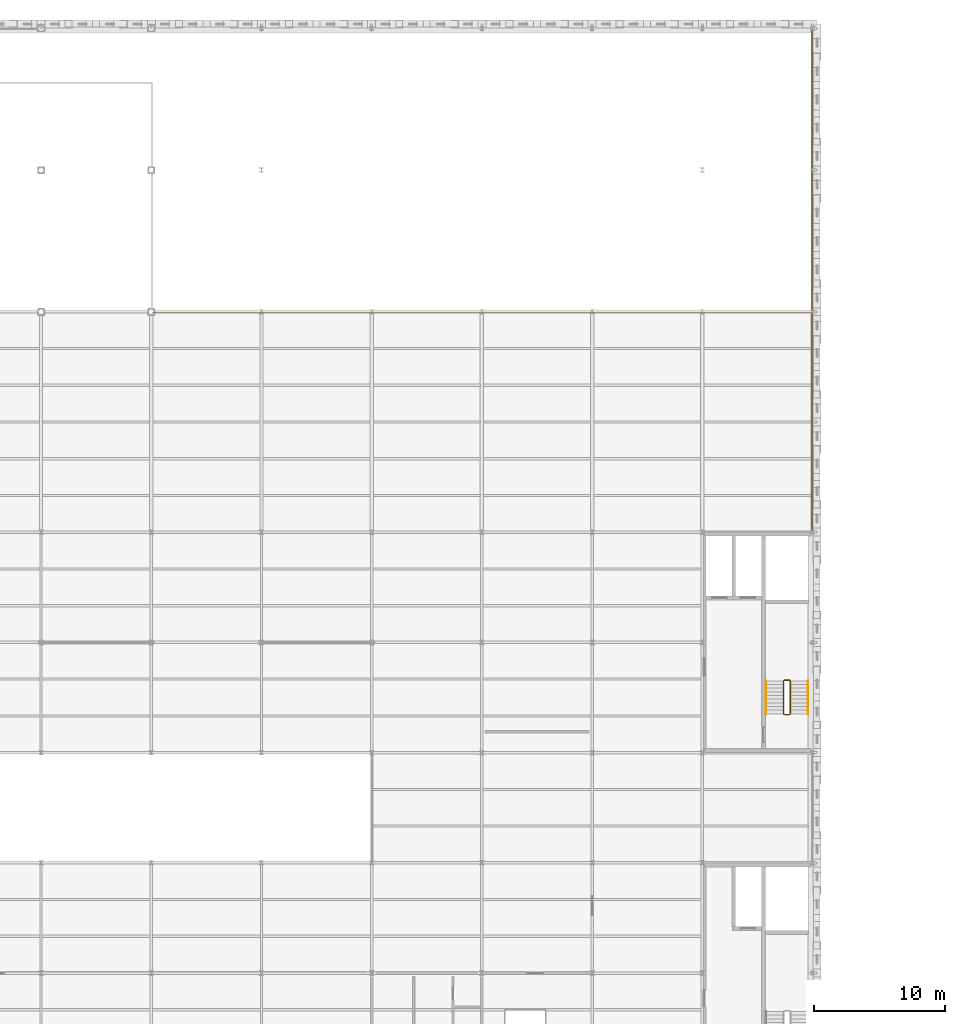
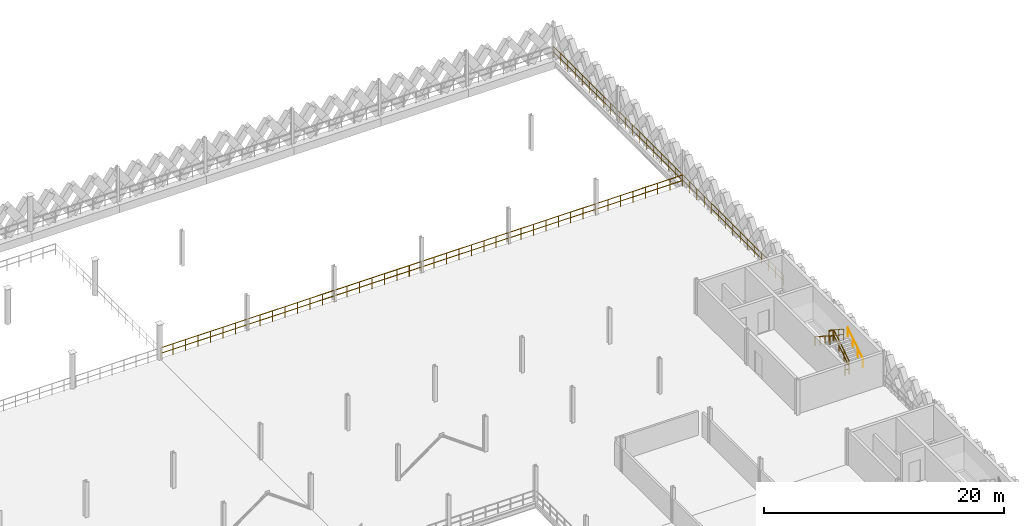
# One storey, part 47 of 47: 8 railings.
"""IFC4 building model written with IfcOpenShell, lengths in metres."""

import ifcopenshell
import ifcopenshell.guid

model = None  # the IFC model being written
_history = None  # IfcOwnerHistory: only IFC2X3 demands one
_inside = {}  # id of a spatial element -> (the spatial element, [elements in it])
_under = {}  # id of a project, library or spatial element -> (it, [spatial elements below it])
_declared = {}  # id of a project -> (the project, [libraries it declares])
_typed = {}  # id of a type object -> (the type object, [elements of that type])
_made_of = {}  # id of a material, layer set ... -> (it, [elements and type objects made of it])


def new_model(schema):
    """Start an empty IFC model of exactly this schema.

    Asked for "IFC4X3", IfcOpenShell would pick the latest addendum, in which some entities
    have other attributes; the version numbers below select the first issue.
    IFC2X3 requires an IfcOwnerHistory on every rooted entity: one is made here for all.
    """
    global model, _history
    if schema == "IFC4X3":
        model = ifcopenshell.file(schema_version=(4, 3, 0, 0))
    else:
        model = ifcopenshell.file(schema=schema)
    _inside.clear()
    _under.clear()
    _declared.clear()
    _typed.clear()
    _made_of.clear()
    _history = None
    if model.schema == "IFC2X3":
        org = make("IfcOrganization", Name="unknown")
        user = make(
            "IfcPersonAndOrganization",
            ThePerson=make("IfcPerson", FamilyName="unknown"),
            TheOrganization=org,
        )
        app = make(
            "IfcApplication",
            ApplicationDeveloper=org,
            Version="unknown",
            ApplicationFullName="unknown",
            ApplicationIdentifier="unknown",
        )
        _history = make(
            "IfcOwnerHistory",
            OwningUser=user,
            OwningApplication=app,
            ChangeAction="ADDED",
            CreationDate=0,
        )
    return model


def make(cls, **values):
    """One entity of the class cls with the attributes given. An attribute that is None is left unset."""
    return model.create_entity(
        cls, **{name: value for name, value in values.items() if value is not None}
    )


def rooted(cls, **values):
    """An entity with a GlobalId (a new one), such as an element, a storey or a relation."""
    return make(cls, GlobalId=ifcopenshell.guid.new(), OwnerHistory=_history, **values)


def si_unit(unit_type, name, prefix=None):
    """IfcSIUnit, for example si_unit("LENGTHUNIT", "METRE", prefix="MILLI")."""
    return make("IfcSIUnit", UnitType=unit_type, Prefix=prefix, Name=name)


def assignment(units):
    """IfcUnitAssignment: the units of a project."""
    return None if units is None else make("IfcUnitAssignment", Units=units)


def point(xyz):
    """IfcCartesianPoint."""
    return None if xyz is None else make("IfcCartesianPoint", Coordinates=xyz)


def direction(xyz):
    """IfcDirection."""
    return None if xyz is None else make("IfcDirection", DirectionRatios=xyz)


def frame(location, z_axis=None, x_axis=None):
    """IfcAxis2Placement3D, a coordinate frame: its origin and axes. An axis left out is left unset."""
    return make(
        "IfcAxis2Placement3D",
        Location=point(location),
        Axis=direction(z_axis),
        RefDirection=direction(x_axis),
    )


def frame_2d(location, x_axis=None):
    """IfcAxis2Placement2D, a coordinate frame in the plane: its origin and x axis."""
    return make(
        "IfcAxis2Placement2D", Location=point(location), RefDirection=direction(x_axis)
    )


def origin():
    """The frame at (0, 0, 0) with its axes left unset."""
    return frame((0.0, 0.0, 0.0))


def origin_2d():
    """The frame at (0, 0) in the plane with its x axis left unset."""
    return frame_2d((0.0, 0.0))


def place(relative_to, where):
    """IfcLocalPlacement: puts the frame where relative to a parent placement (None: the world)."""
    return make(
        "IfcLocalPlacement", PlacementRelTo=relative_to, RelativePlacement=where
    )


def context(
    kind, dimensions, precision=None, world=None, true_north=None, identifier=None
):
    """IfcGeometricRepresentationContext, for example the 3D "Model" context."""
    return make(
        "IfcGeometricRepresentationContext",
        ContextIdentifier=identifier,
        ContextType=kind,
        CoordinateSpaceDimension=dimensions,
        Precision=precision,
        WorldCoordinateSystem=world,
        TrueNorth=true_north,
    )


def subcontext(parent, identifier, kind, view, scale=None):
    """IfcGeometricRepresentationSubContext, for example "Body" below "Model"."""
    return make(
        "IfcGeometricRepresentationSubContext",
        ContextIdentifier=identifier,
        ContextType=kind,
        ParentContext=parent,
        TargetScale=scale,
        TargetView=view,
    )


def project(units=None, contexts=None):
    """IfcProject with its units and contexts."""
    return rooted(
        "IfcProject",
        Name="project",
        RepresentationContexts=contexts,
        UnitsInContext=assignment(units),
    )


def spatial(cls, under=None, at=None, **own):
    """A site, building, storey or space (cls), placed at a placement, below another one or the project."""
    s = rooted(cls, ObjectPlacement=at, **own)
    if under is not None:
        _under.setdefault(under.id(), (under, []))[1].append(s)
    return s


def profile(cls, at=None, kind="AREA", **sizes):
    """A parametric profile (cls). Its sizes go by their IFC names, for example OverallWidth=200.0."""
    return make(cls, ProfileType=kind, Position=at, **sizes)


def circle(**sizes):
    """IfcCircleProfileDef."""
    return profile("IfcCircleProfileDef", **sizes)


def extrude(swept, where, along, depth):
    """IfcExtrudedAreaSolid: the profile swept, set in the frame where, extruded along a direction by depth."""
    return make(
        "IfcExtrudedAreaSolid",
        SweptArea=swept,
        Position=where,
        ExtrudedDirection=direction(along),
        Depth=depth,
    )


def shape(context_of_items, identifier, shape_type, items):
    """IfcShapeRepresentation: the items that make up one representation, for example the "Body"."""
    return make(
        "IfcShapeRepresentation",
        ContextOfItems=context_of_items,
        RepresentationIdentifier=identifier,
        RepresentationType=shape_type,
        Items=items,
    )


def material(Name=None, Category=None):
    """IfcMaterial."""
    return make("IfcMaterial", Name=Name, Category=Category)


def made_of(thing, what):
    """Note that an element or type object is made of a material, layer set ...; save() writes the relation."""
    if what is not None:
        _made_of.setdefault(what.id(), (what, []))[1].append(thing)
    return thing


def type_object(cls, material=None, **own):
    """A type object (cls), such as IfcWallType, which elements share."""
    return made_of(rooted(cls, **own), material)


def element(
    cls,
    number,
    at=None,
    inside=None,
    cuts=None,
    type_object=None,
    material=None,
    context=None,
    identifier="Body",
    shape_type=None,
    held_by="IfcProductDefinitionShape",
    body=None,
    shapes=None,
    **own,
):
    """One element of the class cls, such as IfcWall. Its Tag is "e" and its number.

    at: its placement. inside: the storey or other place that contains it. cuts: it is an
    opening in that element (IfcRelVoidsElement). A single representation is given by context,
    identifier, shape_type and body (its items); several are given by shapes. held_by: the class
    of the entity that holds the representations. save() writes the other relations.
    """
    e = rooted(cls, Tag="e%d" % number, ObjectPlacement=at, **own)
    if body is not None:
        shapes = [shape(context, identifier, shape_type, body)]
    if shapes is not None:
        e.Representation = make(held_by, Representations=shapes)
    if inside is not None:
        _inside.setdefault(inside.id(), (inside, []))[1].append(e)
    if cuts is not None:
        rooted(
            "IfcRelVoidsElement", RelatingBuildingElement=cuts, RelatedOpeningElement=e
        )
    if type_object is not None:
        _typed.setdefault(type_object.id(), (type_object, []))[1].append(e)
    return made_of(e, material)


def aggregate(whole, parts):
    """IfcRelAggregates: a whole, such as a stair, and the parts it consists of."""
    return rooted("IfcRelAggregates", RelatingObject=whole, RelatedObjects=parts)


def save(model, path):
    """Write the relations noted so far, then the file.

    IfcRelAggregates (storeys below a building ...), IfcRelContainedInSpatialStructure (elements
    in a storey), IfcRelDefinesByType, IfcRelAssociatesMaterial and IfcRelDeclares: one each for
    every whole, place, type object, material and project.
    """
    for whole, parts in _under.values():
        aggregate(whole, parts)
    for where, things in _inside.values():
        rooted(
            "IfcRelContainedInSpatialStructure",
            RelatedElements=things,
            RelatingStructure=where,
        )
    for kind, things in _typed.values():
        rooted("IfcRelDefinesByType", RelatedObjects=things, RelatingType=kind)
    for what, things in _made_of.values():
        rooted("IfcRelAssociatesMaterial", RelatedObjects=things, RelatingMaterial=what)
    for by, libraries in _declared.values():
        rooted("IfcRelDeclares", RelatingContext=by, RelatedDefinitions=libraries)
    model.write(path)


model = new_model("IFC4")

# Units and contexts
model_context = context("Model", 3, precision=1e-05, world=origin(), true_north=direction((0.0, 1.0)))
body_context = subcontext(model_context, "Body", "Model", "MODEL_VIEW")
ifc_project = project(units=[si_unit("LENGTHUNIT", "METRE"), si_unit("AREAUNIT", "SQUARE_METRE"), si_unit("VOLUMEUNIT", "CUBIC_METRE"), si_unit("PLANEANGLEUNIT", "RADIAN"), si_unit("MASSUNIT", "GRAM", prefix="KILO"), si_unit("THERMODYNAMICTEMPERATUREUNIT", "KELVIN"), si_unit("POWERUNIT", "WATT")], contexts=[model_context])

# Site, building, storey
site_placement = place(None, origin())
site = spatial("IfcSite", under=ifc_project, at=site_placement, CompositionType="ELEMENT")
building_placement = place(site_placement, origin())
building = spatial("IfcBuilding", under=site, at=building_placement, Name="Tembeka Court Mobility Hub", CompositionType="ELEMENT")
storey_placement = place(building_placement, frame((0.0, 0.0, 19.800048828125)))
storey = spatial("IfcBuildingStorey", under=building, at=storey_placement, Name="L05", CompositionType="ELEMENT", Elevation=19.800048828125)

# Railings
ifc_material_1 = material(Name="Painted galvanised steel balustrade", Category="steel")
railing_type_1 = type_object("IfcRailingType", Name="RL-GR01", PredefinedType="GUARDRAIL", material=ifc_material_1)
railing_1_placement = place(storey_placement, frame((90.699951171875, 66.550048828125, 0.179931640625)))
element("IfcRailing", 1, at=railing_1_placement, inside=storey, type_object=railing_type_1, Name="L05 ST02 stair guard 1-1", PredefinedType="GUARDRAIL", context=body_context, shape_type="SweptSolid", body=[
    extrude(circle(Radius=0.02392578125, at=origin_2d()), frame((0.0, 0.0, 1.09619140625), z_axis=(0.0, 0.841162588446, 0.540782303519), x_axis=(-1.0, 0.0, 0.0)), (0.0, 0.0, 1.0), 2.995849609375),
    extrude(circle(Radius=0.02392578125, at=origin_2d()), frame((0.0, 0.0, 0.5361328125), z_axis=(0.0, 0.841162588446, 0.540782303519), x_axis=(-1.0, 0.0, 0.0)), (0.0, 0.0, 1.0), 2.995849609375),
    extrude(circle(Radius=0.02099609375, at=origin_2d()), origin(), (0.0, 0.0, 1.0), 1.072021484375),
    extrude(circle(Radius=0.02099609375, at=origin_2d()), frame((0.0, 0.840087890625, 0.5400390625)), (0.0, 0.0, 1.0), 1.072021484375),
    extrude(circle(Radius=0.02099609375, at=origin_2d()), frame((0.0, 1.679931640625, 1.080078125)), (0.0, 0.0, 1.0), 1.072021484375),
    extrude(circle(Radius=0.02099609375, at=origin_2d()), frame((0.0, 2.52001953125, 1.6201171875)), (0.0, 0.0, 1.0), 1.072021484375),
])
railing_2_placement = place(storey_placement, frame((90.64990234375, 69.1201171875, 1.800048828125)))
element("IfcRailing", 2, at=railing_2_placement, inside=storey, type_object=railing_type_1, Name="L05 ST02 stair guard 2-1", PredefinedType="GUARDRAIL", context=body_context, shape_type="SweptSolid", body=[
    extrude(circle(Radius=0.02392578125, at=origin_2d()), frame((0.0, 0.0, 1.09619140625), z_axis=(-1.0, 0.0, 0.0), x_axis=(0.0, -1.0, 0.0)), (0.0, 0.0, 1.0), 0.39990234375),
    extrude(circle(Radius=0.02392578125, at=origin_2d()), frame((0.0, 0.0, 0.5361328125), z_axis=(-1.0, 0.0, 0.0), x_axis=(0.0, -1.0, 0.0)), (0.0, 0.0, 1.0), 0.39990234375),
    extrude(circle(Radius=0.02099609375, at=origin_2d()), origin(), (0.0, 0.0, 1.0), 1.072021484375),
    extrude(circle(Radius=0.02099609375, at=origin_2d()), frame((-0.39990234375, 0.0, 0.0)), (0.0, 0.0, 1.0), 1.072021484375),
])
railing_3_placement = place(storey_placement, frame((90.199951171875, 69.070068359375, 1.97998046875)))
element("IfcRailing", 3, at=railing_3_placement, inside=storey, type_object=railing_type_1, Name="L05 ST02 stair guard 3-1", PredefinedType="GUARDRAIL", context=body_context, shape_type="SweptSolid", body=[
    extrude(circle(Radius=0.02392578125, at=origin_2d()), frame((0.0, 0.0, 1.09619140625), z_axis=(0.0, -0.841199657755, 0.540724639528), x_axis=(1.0, 0.0, 0.0)), (0.0, 0.0, 1.0), 2.995849609375),
    extrude(circle(Radius=0.02392578125, at=origin_2d()), frame((0.0, 0.0, 0.5361328125), z_axis=(0.0, -0.841199657755, 0.540724639528), x_axis=(1.0, 0.0, 0.0)), (0.0, 0.0, 1.0), 2.995849609375),
    extrude(circle(Radius=0.02099609375, at=origin_2d()), origin(), (0.0, 0.0, 1.0), 1.072021484375),
    extrude(circle(Radius=0.02099609375, at=origin_2d()), frame((0.0, -0.840087890625, 0.5400390625)), (0.0, 0.0, 1.0), 1.072021484375),
    extrude(circle(Radius=0.02099609375, at=origin_2d()), frame((0.0, -1.679931640625, 1.079833984375)), (0.0, 0.0, 1.0), 1.072021484375),
    extrude(circle(Radius=0.02099609375, at=origin_2d()), frame((0.0, -2.52001953125, 1.619873046875)), (0.0, 0.0, 1.0), 1.072021484375),
])
railing_4_placement = place(storey_placement, frame((90.64990234375, 66.5, 0.0)))
element("IfcRailing", 4, at=railing_4_placement, inside=storey, type_object=railing_type_1, Name="L05 ST02 stair guard 4-1", PredefinedType="GUARDRAIL", context=body_context, shape_type="SweptSolid", body=[
    extrude(circle(Radius=0.02392578125, at=origin_2d()), frame((0.0, 0.0, 1.09619140625), z_axis=(-1.0, 0.0, 0.0), x_axis=(0.0, -1.0, 0.0)), (0.0, 0.0, 1.0), 0.39990234375),
    extrude(circle(Radius=0.02392578125, at=origin_2d()), frame((0.0, 0.0, 0.5361328125), z_axis=(-1.0, 0.0, 0.0), x_axis=(0.0, -1.0, 0.0)), (0.0, 0.0, 1.0), 0.39990234375),
    extrude(circle(Radius=0.02099609375, at=origin_2d()), origin(), (0.0, 0.0, 1.0), 1.072021484375),
    extrude(circle(Radius=0.02099609375, at=origin_2d()), frame((-0.39990234375, 0.0, 0.0)), (0.0, 0.0, 1.0), 1.072021484375),
])
railing_type_2 = type_object("IfcRailingType", Name="RL-GR02", PredefinedType="GUARDRAIL", material=ifc_material_1)
railing_5_placement = place(storey_placement, frame((42.080078125, 97.14990234375, 0.0)))
element("IfcRailing", 5, at=railing_5_placement, inside=storey, type_object=railing_type_2, Name="Perimeter guard GR02-0039", PredefinedType="GUARDRAIL", context=body_context, shape_type="SweptSolid", body=[
    extrude(circle(Radius=0.02392578125, at=origin_2d()), frame((0.0, 0.0, 1.09619140625), z_axis=(1.0, 0.0, 0.0), x_axis=(0.0, 1.0, 0.0)), (0.0, 0.0, 1.0), 50.239990234375),
    extrude(circle(Radius=0.02392578125, at=origin_2d()), frame((0.0, 0.0, 0.5361328125), z_axis=(1.0, 0.0, 0.0), x_axis=(0.0, 1.0, 0.0)), (0.0, 0.0, 1.0), 50.239990234375),
    extrude(circle(Radius=0.02099609375, at=origin_2d()), origin(), (0.0, 0.0, 1.0), 1.072021484375),
    extrude(circle(Radius=0.02099609375, at=origin_2d()), frame((1.1962890625, 0.0, 0.0)), (0.0, 0.0, 1.0), 1.072021484375),
    extrude(circle(Radius=0.02099609375, at=origin_2d()), frame((2.392333984375, 0.0, 0.0)), (0.0, 0.0, 1.0), 1.072021484375),
    extrude(circle(Radius=0.02099609375, at=origin_2d()), frame((3.588623046875, 0.0, 0.0)), (0.0, 0.0, 1.0), 1.072021484375),
    extrude(circle(Radius=0.02099609375, at=origin_2d()), frame((4.78466796875, 0.0, 0.0)), (0.0, 0.0, 1.0), 1.072021484375),
    extrude(circle(Radius=0.02099609375, at=origin_2d()), frame((5.98095703125, 0.0, 0.0)), (0.0, 0.0, 1.0), 1.072021484375),
    extrude(circle(Radius=0.02099609375, at=origin_2d()), frame((7.17724609375, 0.0, 0.0)), (0.0, 0.0, 1.0), 1.072021484375),
    extrude(circle(Radius=0.02099609375, at=origin_2d()), frame((8.373291015625, 0.0, 0.0)), (0.0, 0.0, 1.0), 1.072021484375),
    extrude(circle(Radius=0.02099609375, at=origin_2d()), frame((9.569580078125, 0.0, 0.0)), (0.0, 0.0, 1.0), 1.072021484375),
    extrude(circle(Radius=0.02099609375, at=origin_2d()), frame((10.765625, 0.0, 0.0)), (0.0, 0.0, 1.0), 1.072021484375),
    extrude(circle(Radius=0.02099609375, at=origin_2d()), frame((11.9619140625, 0.0, 0.0)), (0.0, 0.0, 1.0), 1.072021484375),
    extrude(circle(Radius=0.02099609375, at=origin_2d()), frame((13.158203125, 0.0, 0.0)), (0.0, 0.0, 1.0), 1.072021484375),
    extrude(circle(Radius=0.02099609375, at=origin_2d()), frame((14.354248046875, 0.0, 0.0)), (0.0, 0.0, 1.0), 1.072021484375),
    extrude(circle(Radius=0.02099609375, at=origin_2d()), frame((15.550537109375, 0.0, 0.0)), (0.0, 0.0, 1.0), 1.072021484375),
    extrude(circle(Radius=0.02099609375, at=origin_2d()), frame((16.74658203125, 0.0, 0.0)), (0.0, 0.0, 1.0), 1.072021484375),
    extrude(circle(Radius=0.02099609375, at=origin_2d()), frame((17.94287109375, 0.0, 0.0)), (0.0, 0.0, 1.0), 1.072021484375),
    extrude(circle(Radius=0.02099609375, at=origin_2d()), frame((19.13916015625, 0.0, 0.0)), (0.0, 0.0, 1.0), 1.072021484375),
    extrude(circle(Radius=0.02099609375, at=origin_2d()), frame((20.335205078125, 0.0, 0.0)), (0.0, 0.0, 1.0), 1.072021484375),
    extrude(circle(Radius=0.02099609375, at=origin_2d()), frame((21.531494140625, 0.0, 0.0)), (0.0, 0.0, 1.0), 1.072021484375),
    extrude(circle(Radius=0.02099609375, at=origin_2d()), frame((22.7275390625, 0.0, 0.0)), (0.0, 0.0, 1.0), 1.072021484375),
    extrude(circle(Radius=0.02099609375, at=origin_2d()), frame((23.923828125, 0.0, 0.0)), (0.0, 0.0, 1.0), 1.072021484375),
    extrude(circle(Radius=0.02099609375, at=origin_2d()), frame((25.1201171875, 0.0, 0.0)), (0.0, 0.0, 1.0), 1.072021484375),
    extrude(circle(Radius=0.02099609375, at=origin_2d()), frame((26.316162109375, 0.0, 0.0)), (0.0, 0.0, 1.0), 1.072021484375),
    extrude(circle(Radius=0.02099609375, at=origin_2d()), frame((27.512451171875, 0.0, 0.0)), (0.0, 0.0, 1.0), 1.072021484375),
    extrude(circle(Radius=0.02099609375, at=origin_2d()), frame((28.70849609375, 0.0, 0.0)), (0.0, 0.0, 1.0), 1.072021484375),
    extrude(circle(Radius=0.02099609375, at=origin_2d()), frame((29.90478515625, 0.0, 0.0)), (0.0, 0.0, 1.0), 1.072021484375),
    extrude(circle(Radius=0.02099609375, at=origin_2d()), frame((31.100830078125, 0.0, 0.0)), (0.0, 0.0, 1.0), 1.072021484375),
    extrude(circle(Radius=0.02099609375, at=origin_2d()), frame((32.297119140625, 0.0, 0.0)), (0.0, 0.0, 1.0), 1.072021484375),
    extrude(circle(Radius=0.02099609375, at=origin_2d()), frame((33.493408203125, 0.0, 0.0)), (0.0, 0.0, 1.0), 1.072021484375),
    extrude(circle(Radius=0.02099609375, at=origin_2d()), frame((34.689453125, 0.0, 0.0)), (0.0, 0.0, 1.0), 1.072021484375),
    extrude(circle(Radius=0.02099609375, at=origin_2d()), frame((35.8857421875, 0.0, 0.0)), (0.0, 0.0, 1.0), 1.072021484375),
    extrude(circle(Radius=0.02099609375, at=origin_2d()), frame((37.081787109375, 0.0, 0.0)), (0.0, 0.0, 1.0), 1.072021484375),
    extrude(circle(Radius=0.02099609375, at=origin_2d()), frame((38.278076171875, 0.0, 0.0)), (0.0, 0.0, 1.0), 1.072021484375),
    extrude(circle(Radius=0.02099609375, at=origin_2d()), frame((39.474365234375, 0.0, 0.0)), (0.0, 0.0, 1.0), 1.072021484375),
    extrude(circle(Radius=0.02099609375, at=origin_2d()), frame((40.67041015625, 0.0, 0.0)), (0.0, 0.0, 1.0), 1.072021484375),
    extrude(circle(Radius=0.02099609375, at=origin_2d()), frame((41.86669921875, 0.0, 0.0)), (0.0, 0.0, 1.0), 1.072021484375),
    extrude(circle(Radius=0.02099609375, at=origin_2d()), frame((43.062744140625, 0.0, 0.0)), (0.0, 0.0, 1.0), 1.072021484375),
    extrude(circle(Radius=0.02099609375, at=origin_2d()), frame((44.259033203125, 0.0, 0.0)), (0.0, 0.0, 1.0), 1.072021484375),
    extrude(circle(Radius=0.02099609375, at=origin_2d()), frame((45.455322265625, 0.0, 0.0)), (0.0, 0.0, 1.0), 1.072021484375),
    extrude(circle(Radius=0.02099609375, at=origin_2d()), frame((46.6513671875, 0.0, 0.0)), (0.0, 0.0, 1.0), 1.072021484375),
    extrude(circle(Radius=0.02099609375, at=origin_2d()), frame((47.84765625, 0.0, 0.0)), (0.0, 0.0, 1.0), 1.072021484375),
    extrude(circle(Radius=0.02099609375, at=origin_2d()), frame((49.043701171875, 0.0, 0.0)), (0.0, 0.0, 1.0), 1.072021484375),
    extrude(circle(Radius=0.02099609375, at=origin_2d()), frame((50.239990234375, 0.0, 0.0)), (0.0, 0.0, 1.0), 1.072021484375),
])
railing_6_placement = place(storey_placement, frame((92.35009765625, 80.429931640625, 0.0)))
element("IfcRailing", 6, at=railing_6_placement, inside=storey, type_object=railing_type_2, Name="Perimeter guard GR02-0174", PredefinedType="GUARDRAIL", context=body_context, shape_type="SweptSolid", body=[
    extrude(circle(Radius=0.02392578125, at=origin_2d()), frame((0.0, 0.0, 1.09619140625), z_axis=(0.0, 1.0, 0.0), x_axis=(-1.0, 0.0, 0.0)), (0.0, 0.0, 1.0), 38.2900390625),
    extrude(circle(Radius=0.02392578125, at=origin_2d()), frame((0.0, 0.0, 0.5361328125), z_axis=(0.0, 1.0, 0.0), x_axis=(-1.0, 0.0, 0.0)), (0.0, 0.0, 1.0), 38.2900390625),
    extrude(circle(Radius=0.02099609375, at=origin_2d()), origin(), (0.0, 0.0, 1.0), 1.072021484375),
    extrude(circle(Radius=0.02099609375, at=origin_2d()), frame((0.0, 1.196533203125, 0.0)), (0.0, 0.0, 1.0), 1.072021484375),
    extrude(circle(Radius=0.02099609375, at=origin_2d()), frame((0.0, 2.39306640625, 0.0)), (0.0, 0.0, 1.0), 1.072021484375),
    extrude(circle(Radius=0.02099609375, at=origin_2d()), frame((0.0, 3.589599609375, 0.0)), (0.0, 0.0, 1.0), 1.072021484375),
    extrude(circle(Radius=0.02099609375, at=origin_2d()), frame((0.0, 4.7861328125, 0.0)), (0.0, 0.0, 1.0), 1.072021484375),
    extrude(circle(Radius=0.02099609375, at=origin_2d()), frame((0.0, 5.98291015625, 0.0)), (0.0, 0.0, 1.0), 1.072021484375),
    extrude(circle(Radius=0.02099609375, at=origin_2d()), frame((0.0, 7.179443359375, 0.0)), (0.0, 0.0, 1.0), 1.072021484375),
    extrude(circle(Radius=0.02099609375, at=origin_2d()), frame((0.0, 8.3759765625, 0.0)), (0.0, 0.0, 1.0), 1.072021484375),
    extrude(circle(Radius=0.02099609375, at=origin_2d()), frame((0.0, 9.572509765625, 0.0)), (0.0, 0.0, 1.0), 1.072021484375),
    extrude(circle(Radius=0.02099609375, at=origin_2d()), frame((0.0, 10.76904296875, 0.0)), (0.0, 0.0, 1.0), 1.072021484375),
    extrude(circle(Radius=0.02099609375, at=origin_2d()), frame((0.0, 11.965576171875, 0.0)), (0.0, 0.0, 1.0), 1.072021484375),
    extrude(circle(Radius=0.02099609375, at=origin_2d()), frame((0.0, 13.162109375, 0.0)), (0.0, 0.0, 1.0), 1.072021484375),
    extrude(circle(Radius=0.02099609375, at=origin_2d()), frame((0.0, 14.35888671875, 0.0)), (0.0, 0.0, 1.0), 1.072021484375),
    extrude(circle(Radius=0.02099609375, at=origin_2d()), frame((0.0, 15.555419921875, 0.0)), (0.0, 0.0, 1.0), 1.072021484375),
    extrude(circle(Radius=0.02099609375, at=origin_2d()), frame((0.0, 16.751953125, 0.0)), (0.0, 0.0, 1.0), 1.072021484375),
    extrude(circle(Radius=0.02099609375, at=origin_2d()), frame((0.0, 17.948486328125, 0.0)), (0.0, 0.0, 1.0), 1.072021484375),
    extrude(circle(Radius=0.02099609375, at=origin_2d()), frame((0.0, 19.14501953125, 0.0)), (0.0, 0.0, 1.0), 1.072021484375),
    extrude(circle(Radius=0.02099609375, at=origin_2d()), frame((0.0, 20.341552734375, 0.0)), (0.0, 0.0, 1.0), 1.072021484375),
    extrude(circle(Radius=0.02099609375, at=origin_2d()), frame((0.0, 21.5380859375, 0.0)), (0.0, 0.0, 1.0), 1.072021484375),
    extrude(circle(Radius=0.02099609375, at=origin_2d()), frame((0.0, 22.734619140625, 0.0)), (0.0, 0.0, 1.0), 1.072021484375),
    extrude(circle(Radius=0.02099609375, at=origin_2d()), frame((0.0, 23.93115234375, 0.0)), (0.0, 0.0, 1.0), 1.072021484375),
    extrude(circle(Radius=0.02099609375, at=origin_2d()), frame((0.0, 25.1279296875, 0.0)), (0.0, 0.0, 1.0), 1.072021484375),
    extrude(circle(Radius=0.02099609375, at=origin_2d()), frame((0.0, 26.324462890625, 0.0)), (0.0, 0.0, 1.0), 1.072021484375),
    extrude(circle(Radius=0.02099609375, at=origin_2d()), frame((0.0, 27.52099609375, 0.0)), (0.0, 0.0, 1.0), 1.072021484375),
    extrude(circle(Radius=0.02099609375, at=origin_2d()), frame((0.0, 28.717529296875, 0.0)), (0.0, 0.0, 1.0), 1.072021484375),
    extrude(circle(Radius=0.02099609375, at=origin_2d()), frame((0.0, 29.9140625, 0.0)), (0.0, 0.0, 1.0), 1.072021484375),
    extrude(circle(Radius=0.02099609375, at=origin_2d()), frame((0.0, 31.110595703125, 0.0)), (0.0, 0.0, 1.0), 1.072021484375),
    extrude(circle(Radius=0.02099609375, at=origin_2d()), frame((0.0, 32.30712890625, 0.0)), (0.0, 0.0, 1.0), 1.072021484375),
    extrude(circle(Radius=0.02099609375, at=origin_2d()), frame((0.0, 33.50390625, 0.0)), (0.0, 0.0, 1.0), 1.072021484375),
    extrude(circle(Radius=0.02099609375, at=origin_2d()), frame((0.0, 34.700439453125, 0.0)), (0.0, 0.0, 1.0), 1.072021484375),
    extrude(circle(Radius=0.02099609375, at=origin_2d()), frame((0.0, 35.89697265625, 0.0)), (0.0, 0.0, 1.0), 1.072021484375),
    extrude(circle(Radius=0.02099609375, at=origin_2d()), frame((0.0, 37.093505859375, 0.0)), (0.0, 0.0, 1.0), 1.072021484375),
    extrude(circle(Radius=0.02099609375, at=origin_2d()), frame((0.0, 38.2900390625, 0.0)), (0.0, 0.0, 1.0), 1.072021484375),
])
ifc_material_2 = material(Name="Brushed stainless steel handrail", Category="steel")
railing_type_3 = type_object("IfcRailingType", Name="RL-HR01", PredefinedType="HANDRAIL", material=ifc_material_2)
railing_7_placement = place(storey_placement, frame((92.050048828125, 66.550048828125, 0.179931640625)))
element("IfcRailing", 7, at=railing_7_placement, inside=storey, type_object=railing_type_3, Name="L05 ST02 handrail 1-1", PredefinedType="HANDRAIL", context=body_context, shape_type="SweptSolid", body=[
    extrude(circle(Radius=0.02392578125, at=origin_2d()), frame((0.0, 0.0, 0.89599609375), z_axis=(0.0, 0.841162588446, 0.540782303519), x_axis=(-1.0, 0.0, 0.0)), (0.0, 0.0, 1.0), 2.995849609375),
    extrude(circle(Radius=0.02099609375, at=origin_2d()), origin(), (0.0, 0.0, 1.0), 0.871826171875),
    extrude(circle(Radius=0.02099609375, at=origin_2d()), frame((0.0, 0.840087890625, 0.5400390625)), (0.0, 0.0, 1.0), 0.871826171875),
    extrude(circle(Radius=0.02099609375, at=origin_2d()), frame((0.0, 1.679931640625, 1.080078125)), (0.0, 0.0, 1.0), 0.871826171875),
    extrude(circle(Radius=0.02099609375, at=origin_2d()), frame((0.0, 2.52001953125, 1.6201171875)), (0.0, 0.0, 1.0), 0.871826171875),
])
railing_8_placement = place(storey_placement, frame((88.85009765625, 69.070068359375, 1.97998046875)))
element("IfcRailing", 8, at=railing_8_placement, inside=storey, type_object=railing_type_3, Name="L05 ST02 handrail 2-1", PredefinedType="HANDRAIL", context=body_context, shape_type="SweptSolid", body=[
    extrude(circle(Radius=0.02392578125, at=origin_2d()), frame((0.0, 0.0, 0.89599609375), z_axis=(0.0, -0.841199657755, 0.540724639528), x_axis=(1.0, 0.0, 0.0)), (0.0, 0.0, 1.0), 2.995849609375),
    extrude(circle(Radius=0.02099609375, at=origin_2d()), origin(), (0.0, 0.0, 1.0), 0.871826171875),
    extrude(circle(Radius=0.02099609375, at=origin_2d()), frame((0.0, -0.840087890625, 0.5400390625)), (0.0, 0.0, 1.0), 0.871826171875),
    extrude(circle(Radius=0.02099609375, at=origin_2d()), frame((0.0, -1.679931640625, 1.079833984375)), (0.0, 0.0, 1.0), 0.871826171875),
    extrude(circle(Radius=0.02099609375, at=origin_2d()), frame((0.0, -2.52001953125, 1.619873046875)), (0.0, 0.0, 1.0), 0.871826171875),
])

save(model, "model.ifc")
